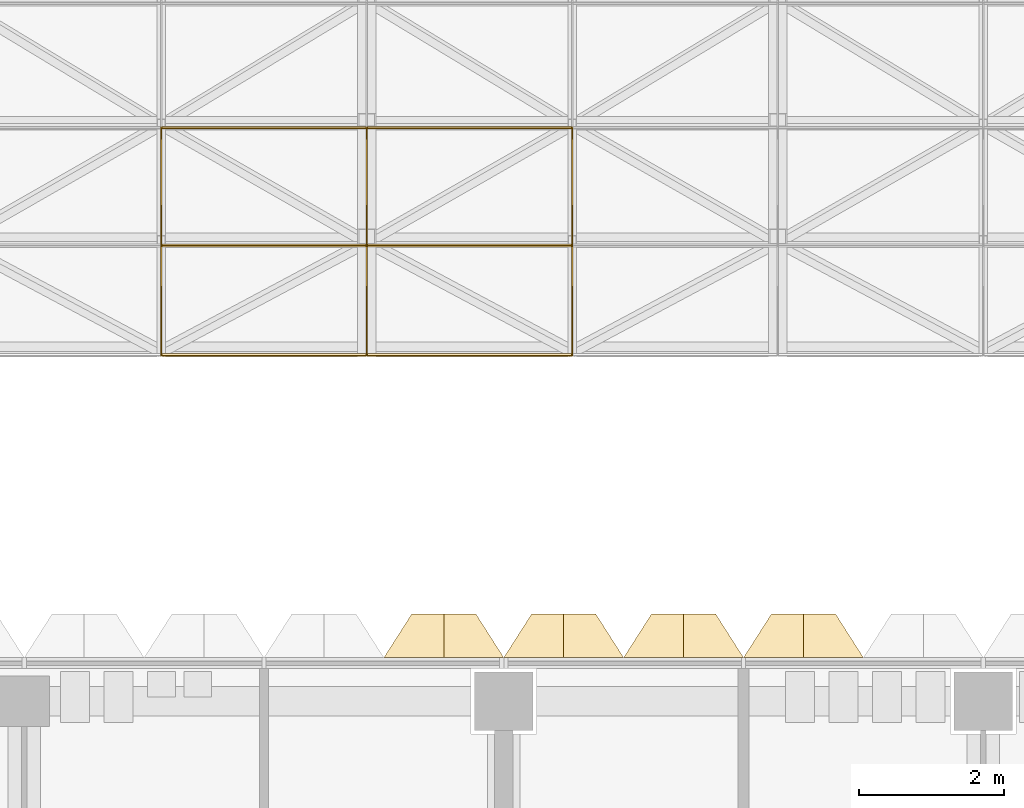
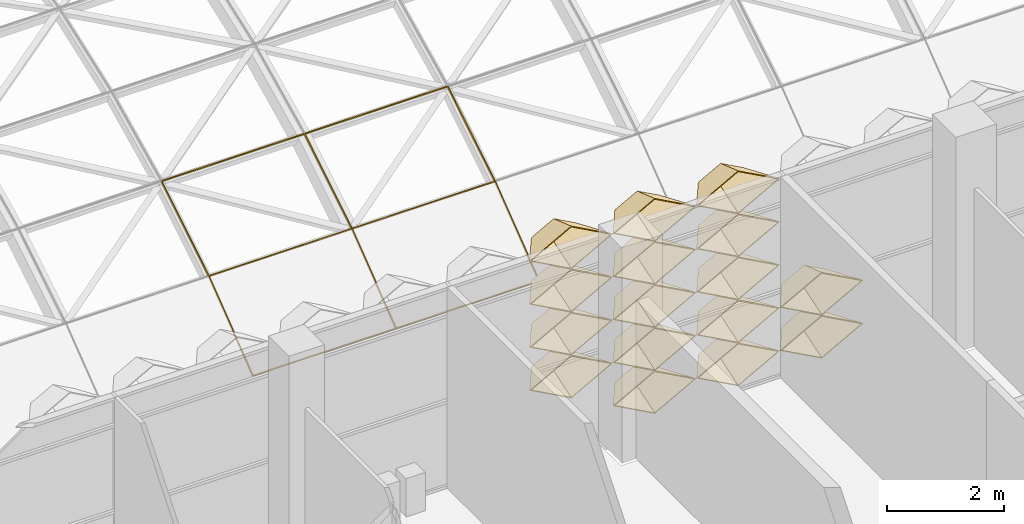
# One storey, part 56 of 85: 28 coverings.
"""IFC4 building model written with IfcOpenShell, lengths in metres."""

from ifc_helpers import new_model, entity, si_unit, direction, frame, origin, origin_2d, place, context, subcontext, project, spatial, rectangle, extrude, material, layer, layer_set, material_profile, profile_set, type_object, element, save


model = new_model("IFC4")

# Units and contexts
model_context = context("Model", 3, precision=1e-05, world=origin(), true_north=direction((0.0, 1.0)))
body_context = subcontext(model_context, "Body", "Model", "MODEL_VIEW")
ifc_project = project(units=[si_unit("LENGTHUNIT", "METRE"), si_unit("AREAUNIT", "SQUARE_METRE"), si_unit("VOLUMEUNIT", "CUBIC_METRE"), si_unit("PLANEANGLEUNIT", "RADIAN"), si_unit("MASSUNIT", "GRAM", prefix="KILO")], contexts=[model_context])

# Site, building, storey
site_placement = place(None, origin())
site = spatial("IfcSite", under=ifc_project, at=site_placement, CompositionType="ELEMENT")
building_placement = place(site_placement, origin())
building = spatial("IfcBuilding", under=site, at=building_placement, Name="Lantern Court Research Institute", CompositionType="ELEMENT")
storey_placement = place(building_placement, frame((0.0, 0.0, 18.89990234375)))
storey = spatial("IfcBuildingStorey", under=building, at=storey_placement, Name="L04", CompositionType="ELEMENT", Elevation=18.89990234375)

# Coverings
ifc_material_1 = material(Name="Anodised aluminium", Category="aluminium")
ifc_layer = layer(ifc_material_1, 0.01611328125)
ifc_layer_set = layer_set([ifc_layer], Name="Anodised aluminium")
covering_type_1 = type_object("IfcCoveringType", Name="Fin cassette 1650 x 900 x 600 aluminium", PredefinedType="CLADDING", material=ifc_layer_set)
covering_1_placement = place(storey_placement, frame((51.97509765625, 23.699951171875, 1.35009765625), z_axis=(0.0, 1.0, 0.0), x_axis=(-1.0, 0.0, 0.0)))
cartesian_point_1 = entity("IfcCartesianPoint", [0.824951171875, 0.0])
cartesian_point_2 = entity("IfcCartesianPoint", [0.79150390625, 0.0])
cartesian_point_3 = entity("IfcCartesianPoint", [0.44189453125, 0.0])
cartesian_point_4 = entity("IfcCartesianPoint", [0.43359375, 0.0])
element("IfcCovering", 1, at=covering_1_placement, inside=storey, type_object=covering_type_1, Name="Fin cassette V4N-L04 2.32", PredefinedType="CLADDING", context=body_context, shape_type="SweptSolid", body=[
    entity("IfcExtrudedAreaSolidTapered", entity("IfcArbitraryProfileDefWithVoids", "AREA", None, entity("IfcPolyline", [cartesian_point_1, entity("IfcCartesianPoint", [0.0, 0.449951171875]), entity("IfcCartesianPoint", [-0.824951171875, 0.0]), entity("IfcCartesianPoint", [0.0, -0.449951171875]), cartesian_point_1]), [entity("IfcPolyline", [cartesian_point_2, entity("IfcCartesianPoint", [0.0, 0.431884765625]), entity("IfcCartesianPoint", [-0.79150390625, 0.0]), entity("IfcCartesianPoint", [0.0, -0.431884765625]), cartesian_point_2])]), entity("IfcAxis2Placement3D", entity("IfcCartesianPoint", [0.0, 0.0, 0.0])), entity("IfcDirection", [0.0, 0.0, 1.0]), 0.60009765625, entity("IfcArbitraryProfileDefWithVoids", "AREA", None, entity("IfcPolyline", [cartesian_point_3, entity("IfcCartesianPoint", [0.0, 0.240966796875]), entity("IfcCartesianPoint", [-0.44189453125, 0.0]), entity("IfcCartesianPoint", [0.0, -0.240966796875]), cartesian_point_3]), [entity("IfcPolyline", [cartesian_point_4, entity("IfcCartesianPoint", [0.0, 0.236572265625]), entity("IfcCartesianPoint", [-0.43359375, 0.0]), entity("IfcCartesianPoint", [0.0, -0.236572265625]), cartesian_point_4])])),
])
covering_2_placement = place(storey_placement, frame((51.97509765625, 23.699951171875, 2.25), z_axis=(0.0, 1.0, 0.0), x_axis=(-1.0, 0.0, 0.0)))
cartesian_point_5 = entity("IfcCartesianPoint", [0.824951171875, 0.0])
cartesian_point_6 = entity("IfcCartesianPoint", [0.79150390625, 0.0])
cartesian_point_7 = entity("IfcCartesianPoint", [0.44189453125, 0.0])
cartesian_point_8 = entity("IfcCartesianPoint", [0.43359375, 0.0])
element("IfcCovering", 2, at=covering_2_placement, inside=storey, type_object=covering_type_1, Name="Fin cassette V4N-L04 3.32", PredefinedType="CLADDING", context=body_context, shape_type="SweptSolid", body=[
    entity("IfcExtrudedAreaSolidTapered", entity("IfcArbitraryProfileDefWithVoids", "AREA", None, entity("IfcPolyline", [cartesian_point_5, entity("IfcCartesianPoint", [0.0, 0.449951171875]), entity("IfcCartesianPoint", [-0.824951171875, 0.0]), entity("IfcCartesianPoint", [0.0, -0.449951171875]), cartesian_point_5]), [entity("IfcPolyline", [cartesian_point_6, entity("IfcCartesianPoint", [0.0, 0.431884765625]), entity("IfcCartesianPoint", [-0.79150390625, 0.0]), entity("IfcCartesianPoint", [0.0, -0.431884765625]), cartesian_point_6])]), entity("IfcAxis2Placement3D", entity("IfcCartesianPoint", [0.0, 0.0, 0.0])), entity("IfcDirection", [0.0, 0.0, 1.0]), 0.60009765625, entity("IfcArbitraryProfileDefWithVoids", "AREA", None, entity("IfcPolyline", [cartesian_point_7, entity("IfcCartesianPoint", [0.0, 0.240966796875]), entity("IfcCartesianPoint", [-0.44189453125, 0.0]), entity("IfcCartesianPoint", [0.0, -0.240966796875]), cartesian_point_7]), [entity("IfcPolyline", [cartesian_point_8, entity("IfcCartesianPoint", [0.0, 0.236572265625]), entity("IfcCartesianPoint", [-0.43359375, 0.0]), entity("IfcCartesianPoint", [0.0, -0.236572265625]), cartesian_point_8])])),
])
covering_3_placement = place(storey_placement, frame((51.97509765625, 23.699951171875, 3.150146484375), z_axis=(0.0, 1.0, 0.0), x_axis=(-1.0, 0.0, 0.0)))
cartesian_point_9 = entity("IfcCartesianPoint", [0.824951171875, 0.0])
cartesian_point_10 = entity("IfcCartesianPoint", [0.79150390625, 0.0])
cartesian_point_11 = entity("IfcCartesianPoint", [0.44189453125, 0.0])
cartesian_point_12 = entity("IfcCartesianPoint", [0.43359375, 0.0])
element("IfcCovering", 3, at=covering_3_placement, inside=storey, type_object=covering_type_1, Name="Fin cassette V4N-L04 4.32", PredefinedType="CLADDING", context=body_context, shape_type="SweptSolid", body=[
    entity("IfcExtrudedAreaSolidTapered", entity("IfcArbitraryProfileDefWithVoids", "AREA", None, entity("IfcPolyline", [cartesian_point_9, entity("IfcCartesianPoint", [0.0, 0.449951171875]), entity("IfcCartesianPoint", [-0.824951171875, 0.0]), entity("IfcCartesianPoint", [0.0, -0.449951171875]), cartesian_point_9]), [entity("IfcPolyline", [cartesian_point_10, entity("IfcCartesianPoint", [0.0, 0.431884765625]), entity("IfcCartesianPoint", [-0.79150390625, 0.0]), entity("IfcCartesianPoint", [0.0, -0.431884765625]), cartesian_point_10])]), entity("IfcAxis2Placement3D", entity("IfcCartesianPoint", [0.0, 0.0, 0.0])), entity("IfcDirection", [0.0, 0.0, 1.0]), 0.60009765625, entity("IfcArbitraryProfileDefWithVoids", "AREA", None, entity("IfcPolyline", [cartesian_point_11, entity("IfcCartesianPoint", [0.0, 0.240966796875]), entity("IfcCartesianPoint", [-0.44189453125, 0.0]), entity("IfcCartesianPoint", [0.0, -0.240966796875]), cartesian_point_11]), [entity("IfcPolyline", [cartesian_point_12, entity("IfcCartesianPoint", [0.0, 0.236572265625]), entity("IfcCartesianPoint", [-0.43359375, 0.0]), entity("IfcCartesianPoint", [0.0, -0.236572265625]), cartesian_point_12])])),
])
covering_4_placement = place(storey_placement, frame((51.97509765625, 23.699951171875, 4.050048828125), z_axis=(0.0, 1.0, 0.0), x_axis=(-1.0, 0.0, 0.0)))
cartesian_point_13 = entity("IfcCartesianPoint", [0.824951171875, 0.0])
cartesian_point_14 = entity("IfcCartesianPoint", [0.79150390625, 0.0])
cartesian_point_15 = entity("IfcCartesianPoint", [0.44189453125, 0.0])
cartesian_point_16 = entity("IfcCartesianPoint", [0.43359375, 0.0])
element("IfcCovering", 4, at=covering_4_placement, inside=storey, type_object=covering_type_1, Name="Fin cassette V4N-L04 5.32", PredefinedType="CLADDING", context=body_context, shape_type="SweptSolid", body=[
    entity("IfcExtrudedAreaSolidTapered", entity("IfcArbitraryProfileDefWithVoids", "AREA", None, entity("IfcPolyline", [cartesian_point_13, entity("IfcCartesianPoint", [0.0, 0.449951171875]), entity("IfcCartesianPoint", [-0.824951171875, 0.0]), entity("IfcCartesianPoint", [0.0, -0.449951171875]), cartesian_point_13]), [entity("IfcPolyline", [cartesian_point_14, entity("IfcCartesianPoint", [0.0, 0.431884765625]), entity("IfcCartesianPoint", [-0.79150390625, 0.0]), entity("IfcCartesianPoint", [0.0, -0.431884765625]), cartesian_point_14])]), entity("IfcAxis2Placement3D", entity("IfcCartesianPoint", [0.0, 0.0, 0.0])), entity("IfcDirection", [0.0, 0.0, 1.0]), 0.60009765625, entity("IfcArbitraryProfileDefWithVoids", "AREA", None, entity("IfcPolyline", [cartesian_point_15, entity("IfcCartesianPoint", [0.0, 0.240966796875]), entity("IfcCartesianPoint", [-0.44189453125, 0.0]), entity("IfcCartesianPoint", [0.0, -0.240966796875]), cartesian_point_15]), [entity("IfcPolyline", [cartesian_point_16, entity("IfcCartesianPoint", [0.0, 0.236572265625]), entity("IfcCartesianPoint", [-0.43359375, 0.0]), entity("IfcCartesianPoint", [0.0, -0.236572265625]), cartesian_point_16])])),
])
covering_5_placement = place(storey_placement, frame((53.625, 23.699951171875, 0.4501953125), z_axis=(0.0, 1.0, 0.0), x_axis=(-1.0, 0.0, 0.0)))
cartesian_point_17 = entity("IfcCartesianPoint", [0.824951171875, 0.0])
cartesian_point_18 = entity("IfcCartesianPoint", [0.79150390625, 0.0])
cartesian_point_19 = entity("IfcCartesianPoint", [0.44189453125, 0.0])
cartesian_point_20 = entity("IfcCartesianPoint", [0.43359375, 0.0])
element("IfcCovering", 5, at=covering_5_placement, inside=storey, type_object=covering_type_1, Name="Fin cassette V5N-L04 1.33", PredefinedType="CLADDING", context=body_context, shape_type="SweptSolid", body=[
    entity("IfcExtrudedAreaSolidTapered", entity("IfcArbitraryProfileDefWithVoids", "AREA", None, entity("IfcPolyline", [cartesian_point_17, entity("IfcCartesianPoint", [0.0, 0.449951171875]), entity("IfcCartesianPoint", [-0.824951171875, 0.0]), entity("IfcCartesianPoint", [0.0, -0.449951171875]), cartesian_point_17]), [entity("IfcPolyline", [cartesian_point_18, entity("IfcCartesianPoint", [0.0, 0.431884765625]), entity("IfcCartesianPoint", [-0.79150390625, 0.0]), entity("IfcCartesianPoint", [0.0, -0.431884765625]), cartesian_point_18])]), entity("IfcAxis2Placement3D", entity("IfcCartesianPoint", [0.0, 0.0, 0.0])), entity("IfcDirection", [0.0, 0.0, 1.0]), 0.60009765625, entity("IfcArbitraryProfileDefWithVoids", "AREA", None, entity("IfcPolyline", [cartesian_point_19, entity("IfcCartesianPoint", [0.0, 0.240966796875]), entity("IfcCartesianPoint", [-0.44189453125, 0.0]), entity("IfcCartesianPoint", [0.0, -0.240966796875]), cartesian_point_19]), [entity("IfcPolyline", [cartesian_point_20, entity("IfcCartesianPoint", [0.0, 0.236572265625]), entity("IfcCartesianPoint", [-0.43359375, 0.0]), entity("IfcCartesianPoint", [0.0, -0.236572265625]), cartesian_point_20])])),
])
covering_6_placement = place(storey_placement, frame((55.27490234375, 23.699951171875, 0.4501953125), z_axis=(0.0, 1.0, 0.0), x_axis=(-1.0, 0.0, 0.0)))
cartesian_point_21 = entity("IfcCartesianPoint", [0.824951171875, 0.0])
cartesian_point_22 = entity("IfcCartesianPoint", [0.79150390625, 0.0])
cartesian_point_23 = entity("IfcCartesianPoint", [0.44189453125, 0.0])
cartesian_point_24 = entity("IfcCartesianPoint", [0.43359375, 0.0])
element("IfcCovering", 6, at=covering_6_placement, inside=storey, type_object=covering_type_1, Name="Fin cassette V5N-L04 1.34", PredefinedType="CLADDING", context=body_context, shape_type="SweptSolid", body=[
    entity("IfcExtrudedAreaSolidTapered", entity("IfcArbitraryProfileDefWithVoids", "AREA", None, entity("IfcPolyline", [cartesian_point_21, entity("IfcCartesianPoint", [0.0, 0.449951171875]), entity("IfcCartesianPoint", [-0.824951171875, 0.0]), entity("IfcCartesianPoint", [0.0, -0.449951171875]), cartesian_point_21]), [entity("IfcPolyline", [cartesian_point_22, entity("IfcCartesianPoint", [0.0, 0.431884765625]), entity("IfcCartesianPoint", [-0.79150390625, 0.0]), entity("IfcCartesianPoint", [0.0, -0.431884765625]), cartesian_point_22])]), entity("IfcAxis2Placement3D", entity("IfcCartesianPoint", [0.0, 0.0, 0.0])), entity("IfcDirection", [0.0, 0.0, 1.0]), 0.60009765625, entity("IfcArbitraryProfileDefWithVoids", "AREA", None, entity("IfcPolyline", [cartesian_point_23, entity("IfcCartesianPoint", [0.0, 0.240966796875]), entity("IfcCartesianPoint", [-0.44189453125, 0.0]), entity("IfcCartesianPoint", [0.0, -0.240966796875]), cartesian_point_23]), [entity("IfcPolyline", [cartesian_point_24, entity("IfcCartesianPoint", [0.0, 0.236572265625]), entity("IfcCartesianPoint", [-0.43359375, 0.0]), entity("IfcCartesianPoint", [0.0, -0.236572265625]), cartesian_point_24])])),
])
covering_7_placement = place(storey_placement, frame((56.925048828125, 23.699951171875, 0.4501953125), z_axis=(0.0, 1.0, 0.0), x_axis=(-1.0, 0.0, 0.0)))
cartesian_point_25 = entity("IfcCartesianPoint", [0.824951171875, 0.0])
cartesian_point_26 = entity("IfcCartesianPoint", [0.79150390625, 0.0])
cartesian_point_27 = entity("IfcCartesianPoint", [0.44189453125, 0.0])
cartesian_point_28 = entity("IfcCartesianPoint", [0.43359375, 0.0])
element("IfcCovering", 7, at=covering_7_placement, inside=storey, type_object=covering_type_1, Name="Fin cassette V5N-L04 1.35", PredefinedType="CLADDING", context=body_context, shape_type="SweptSolid", body=[
    entity("IfcExtrudedAreaSolidTapered", entity("IfcArbitraryProfileDefWithVoids", "AREA", None, entity("IfcPolyline", [cartesian_point_25, entity("IfcCartesianPoint", [0.0, 0.449951171875]), entity("IfcCartesianPoint", [-0.824951171875, 0.0]), entity("IfcCartesianPoint", [0.0, -0.449951171875]), cartesian_point_25]), [entity("IfcPolyline", [cartesian_point_26, entity("IfcCartesianPoint", [0.0, 0.431884765625]), entity("IfcCartesianPoint", [-0.79150390625, 0.0]), entity("IfcCartesianPoint", [0.0, -0.431884765625]), cartesian_point_26])]), entity("IfcAxis2Placement3D", entity("IfcCartesianPoint", [0.0, 0.0, 0.0])), entity("IfcDirection", [0.0, 0.0, 1.0]), 0.60009765625, entity("IfcArbitraryProfileDefWithVoids", "AREA", None, entity("IfcPolyline", [cartesian_point_27, entity("IfcCartesianPoint", [0.0, 0.240966796875]), entity("IfcCartesianPoint", [-0.44189453125, 0.0]), entity("IfcCartesianPoint", [0.0, -0.240966796875]), cartesian_point_27]), [entity("IfcPolyline", [cartesian_point_28, entity("IfcCartesianPoint", [0.0, 0.236572265625]), entity("IfcCartesianPoint", [-0.43359375, 0.0]), entity("IfcCartesianPoint", [0.0, -0.236572265625]), cartesian_point_28])])),
])
covering_8_placement = place(storey_placement, frame((53.625, 23.699951171875, 1.35009765625), z_axis=(0.0, 1.0, 0.0), x_axis=(-1.0, 0.0, 0.0)))
cartesian_point_29 = entity("IfcCartesianPoint", [0.824951171875, 0.0])
cartesian_point_30 = entity("IfcCartesianPoint", [0.79150390625, 0.0])
cartesian_point_31 = entity("IfcCartesianPoint", [0.44189453125, 0.0])
cartesian_point_32 = entity("IfcCartesianPoint", [0.43359375, 0.0])
element("IfcCovering", 8, at=covering_8_placement, inside=storey, type_object=covering_type_1, Name="Fin cassette V5N-L04 2.33", PredefinedType="CLADDING", context=body_context, shape_type="SweptSolid", body=[
    entity("IfcExtrudedAreaSolidTapered", entity("IfcArbitraryProfileDefWithVoids", "AREA", None, entity("IfcPolyline", [cartesian_point_29, entity("IfcCartesianPoint", [0.0, 0.449951171875]), entity("IfcCartesianPoint", [-0.824951171875, 0.0]), entity("IfcCartesianPoint", [0.0, -0.449951171875]), cartesian_point_29]), [entity("IfcPolyline", [cartesian_point_30, entity("IfcCartesianPoint", [0.0, 0.431884765625]), entity("IfcCartesianPoint", [-0.79150390625, 0.0]), entity("IfcCartesianPoint", [0.0, -0.431884765625]), cartesian_point_30])]), entity("IfcAxis2Placement3D", entity("IfcCartesianPoint", [0.0, 0.0, 0.0])), entity("IfcDirection", [0.0, 0.0, 1.0]), 0.60009765625, entity("IfcArbitraryProfileDefWithVoids", "AREA", None, entity("IfcPolyline", [cartesian_point_31, entity("IfcCartesianPoint", [0.0, 0.240966796875]), entity("IfcCartesianPoint", [-0.44189453125, 0.0]), entity("IfcCartesianPoint", [0.0, -0.240966796875]), cartesian_point_31]), [entity("IfcPolyline", [cartesian_point_32, entity("IfcCartesianPoint", [0.0, 0.236572265625]), entity("IfcCartesianPoint", [-0.43359375, 0.0]), entity("IfcCartesianPoint", [0.0, -0.236572265625]), cartesian_point_32])])),
])
covering_9_placement = place(storey_placement, frame((55.27490234375, 23.699951171875, 1.35009765625), z_axis=(0.0, 1.0, 0.0), x_axis=(-1.0, 0.0, 0.0)))
cartesian_point_33 = entity("IfcCartesianPoint", [0.824951171875, 0.0])
cartesian_point_34 = entity("IfcCartesianPoint", [0.79150390625, 0.0])
cartesian_point_35 = entity("IfcCartesianPoint", [0.44189453125, 0.0])
cartesian_point_36 = entity("IfcCartesianPoint", [0.43359375, 0.0])
element("IfcCovering", 9, at=covering_9_placement, inside=storey, type_object=covering_type_1, Name="Fin cassette V5N-L04 2.34", PredefinedType="CLADDING", context=body_context, shape_type="SweptSolid", body=[
    entity("IfcExtrudedAreaSolidTapered", entity("IfcArbitraryProfileDefWithVoids", "AREA", None, entity("IfcPolyline", [cartesian_point_33, entity("IfcCartesianPoint", [0.0, 0.449951171875]), entity("IfcCartesianPoint", [-0.824951171875, 0.0]), entity("IfcCartesianPoint", [0.0, -0.449951171875]), cartesian_point_33]), [entity("IfcPolyline", [cartesian_point_34, entity("IfcCartesianPoint", [0.0, 0.431884765625]), entity("IfcCartesianPoint", [-0.79150390625, 0.0]), entity("IfcCartesianPoint", [0.0, -0.431884765625]), cartesian_point_34])]), entity("IfcAxis2Placement3D", entity("IfcCartesianPoint", [0.0, 0.0, 0.0])), entity("IfcDirection", [0.0, 0.0, 1.0]), 0.60009765625, entity("IfcArbitraryProfileDefWithVoids", "AREA", None, entity("IfcPolyline", [cartesian_point_35, entity("IfcCartesianPoint", [0.0, 0.240966796875]), entity("IfcCartesianPoint", [-0.44189453125, 0.0]), entity("IfcCartesianPoint", [0.0, -0.240966796875]), cartesian_point_35]), [entity("IfcPolyline", [cartesian_point_36, entity("IfcCartesianPoint", [0.0, 0.236572265625]), entity("IfcCartesianPoint", [-0.43359375, 0.0]), entity("IfcCartesianPoint", [0.0, -0.236572265625]), cartesian_point_36])])),
])
covering_10_placement = place(storey_placement, frame((56.925048828125, 23.699951171875, 1.35009765625), z_axis=(0.0, 1.0, 0.0), x_axis=(-1.0, 0.0, 0.0)))
cartesian_point_37 = entity("IfcCartesianPoint", [0.824951171875, 0.0])
cartesian_point_38 = entity("IfcCartesianPoint", [0.79150390625, 0.0])
cartesian_point_39 = entity("IfcCartesianPoint", [0.44189453125, 0.0])
cartesian_point_40 = entity("IfcCartesianPoint", [0.43359375, 0.0])
element("IfcCovering", 10, at=covering_10_placement, inside=storey, type_object=covering_type_1, Name="Fin cassette V5N-L04 2.35", PredefinedType="CLADDING", context=body_context, shape_type="SweptSolid", body=[
    entity("IfcExtrudedAreaSolidTapered", entity("IfcArbitraryProfileDefWithVoids", "AREA", None, entity("IfcPolyline", [cartesian_point_37, entity("IfcCartesianPoint", [0.0, 0.449951171875]), entity("IfcCartesianPoint", [-0.824951171875, 0.0]), entity("IfcCartesianPoint", [0.0, -0.449951171875]), cartesian_point_37]), [entity("IfcPolyline", [cartesian_point_38, entity("IfcCartesianPoint", [0.0, 0.431884765625]), entity("IfcCartesianPoint", [-0.79150390625, 0.0]), entity("IfcCartesianPoint", [0.0, -0.431884765625]), cartesian_point_38])]), entity("IfcAxis2Placement3D", entity("IfcCartesianPoint", [0.0, 0.0, 0.0])), entity("IfcDirection", [0.0, 0.0, 1.0]), 0.60009765625, entity("IfcArbitraryProfileDefWithVoids", "AREA", None, entity("IfcPolyline", [cartesian_point_39, entity("IfcCartesianPoint", [0.0, 0.240966796875]), entity("IfcCartesianPoint", [-0.44189453125, 0.0]), entity("IfcCartesianPoint", [0.0, -0.240966796875]), cartesian_point_39]), [entity("IfcPolyline", [cartesian_point_40, entity("IfcCartesianPoint", [0.0, 0.236572265625]), entity("IfcCartesianPoint", [-0.43359375, 0.0]), entity("IfcCartesianPoint", [0.0, -0.236572265625]), cartesian_point_40])])),
])
covering_11_placement = place(storey_placement, frame((53.625, 23.699951171875, 2.25), z_axis=(0.0, 1.0, 0.0), x_axis=(-1.0, 0.0, 0.0)))
cartesian_point_41 = entity("IfcCartesianPoint", [0.824951171875, 0.0])
cartesian_point_42 = entity("IfcCartesianPoint", [0.79150390625, 0.0])
cartesian_point_43 = entity("IfcCartesianPoint", [0.44189453125, 0.0])
cartesian_point_44 = entity("IfcCartesianPoint", [0.43359375, 0.0])
element("IfcCovering", 11, at=covering_11_placement, inside=storey, type_object=covering_type_1, Name="Fin cassette V5N-L04 3.33", PredefinedType="CLADDING", context=body_context, shape_type="SweptSolid", body=[
    entity("IfcExtrudedAreaSolidTapered", entity("IfcArbitraryProfileDefWithVoids", "AREA", None, entity("IfcPolyline", [cartesian_point_41, entity("IfcCartesianPoint", [0.0, 0.449951171875]), entity("IfcCartesianPoint", [-0.824951171875, 0.0]), entity("IfcCartesianPoint", [0.0, -0.449951171875]), cartesian_point_41]), [entity("IfcPolyline", [cartesian_point_42, entity("IfcCartesianPoint", [0.0, 0.431884765625]), entity("IfcCartesianPoint", [-0.79150390625, 0.0]), entity("IfcCartesianPoint", [0.0, -0.431884765625]), cartesian_point_42])]), entity("IfcAxis2Placement3D", entity("IfcCartesianPoint", [0.0, 0.0, 0.0])), entity("IfcDirection", [0.0, 0.0, 1.0]), 0.60009765625, entity("IfcArbitraryProfileDefWithVoids", "AREA", None, entity("IfcPolyline", [cartesian_point_43, entity("IfcCartesianPoint", [0.0, 0.240966796875]), entity("IfcCartesianPoint", [-0.44189453125, 0.0]), entity("IfcCartesianPoint", [0.0, -0.240966796875]), cartesian_point_43]), [entity("IfcPolyline", [cartesian_point_44, entity("IfcCartesianPoint", [0.0, 0.236572265625]), entity("IfcCartesianPoint", [-0.43359375, 0.0]), entity("IfcCartesianPoint", [0.0, -0.236572265625]), cartesian_point_44])])),
])
covering_12_placement = place(storey_placement, frame((55.27490234375, 23.699951171875, 2.25), z_axis=(0.0, 1.0, 0.0), x_axis=(-1.0, 0.0, 0.0)))
cartesian_point_45 = entity("IfcCartesianPoint", [0.824951171875, 0.0])
cartesian_point_46 = entity("IfcCartesianPoint", [0.79150390625, 0.0])
cartesian_point_47 = entity("IfcCartesianPoint", [0.44189453125, 0.0])
cartesian_point_48 = entity("IfcCartesianPoint", [0.43359375, 0.0])
element("IfcCovering", 12, at=covering_12_placement, inside=storey, type_object=covering_type_1, Name="Fin cassette V5N-L04 3.34", PredefinedType="CLADDING", context=body_context, shape_type="SweptSolid", body=[
    entity("IfcExtrudedAreaSolidTapered", entity("IfcArbitraryProfileDefWithVoids", "AREA", None, entity("IfcPolyline", [cartesian_point_45, entity("IfcCartesianPoint", [0.0, 0.449951171875]), entity("IfcCartesianPoint", [-0.824951171875, 0.0]), entity("IfcCartesianPoint", [0.0, -0.449951171875]), cartesian_point_45]), [entity("IfcPolyline", [cartesian_point_46, entity("IfcCartesianPoint", [0.0, 0.431884765625]), entity("IfcCartesianPoint", [-0.79150390625, 0.0]), entity("IfcCartesianPoint", [0.0, -0.431884765625]), cartesian_point_46])]), entity("IfcAxis2Placement3D", entity("IfcCartesianPoint", [0.0, 0.0, 0.0])), entity("IfcDirection", [0.0, 0.0, 1.0]), 0.60009765625, entity("IfcArbitraryProfileDefWithVoids", "AREA", None, entity("IfcPolyline", [cartesian_point_47, entity("IfcCartesianPoint", [0.0, 0.240966796875]), entity("IfcCartesianPoint", [-0.44189453125, 0.0]), entity("IfcCartesianPoint", [0.0, -0.240966796875]), cartesian_point_47]), [entity("IfcPolyline", [cartesian_point_48, entity("IfcCartesianPoint", [0.0, 0.236572265625]), entity("IfcCartesianPoint", [-0.43359375, 0.0]), entity("IfcCartesianPoint", [0.0, -0.236572265625]), cartesian_point_48])])),
])
covering_13_placement = place(storey_placement, frame((53.625, 23.699951171875, 3.150146484375), z_axis=(0.0, 1.0, 0.0), x_axis=(-1.0, 0.0, 0.0)))
cartesian_point_49 = entity("IfcCartesianPoint", [0.824951171875, 0.0])
cartesian_point_50 = entity("IfcCartesianPoint", [0.79150390625, 0.0])
cartesian_point_51 = entity("IfcCartesianPoint", [0.44189453125, 0.0])
cartesian_point_52 = entity("IfcCartesianPoint", [0.43359375, 0.0])
element("IfcCovering", 13, at=covering_13_placement, inside=storey, type_object=covering_type_1, Name="Fin cassette V5N-L04 4.33", PredefinedType="CLADDING", context=body_context, shape_type="SweptSolid", body=[
    entity("IfcExtrudedAreaSolidTapered", entity("IfcArbitraryProfileDefWithVoids", "AREA", None, entity("IfcPolyline", [cartesian_point_49, entity("IfcCartesianPoint", [0.0, 0.449951171875]), entity("IfcCartesianPoint", [-0.824951171875, 0.0]), entity("IfcCartesianPoint", [0.0, -0.449951171875]), cartesian_point_49]), [entity("IfcPolyline", [cartesian_point_50, entity("IfcCartesianPoint", [0.0, 0.431884765625]), entity("IfcCartesianPoint", [-0.79150390625, 0.0]), entity("IfcCartesianPoint", [0.0, -0.431884765625]), cartesian_point_50])]), entity("IfcAxis2Placement3D", entity("IfcCartesianPoint", [0.0, 0.0, 0.0])), entity("IfcDirection", [0.0, 0.0, 1.0]), 0.60009765625, entity("IfcArbitraryProfileDefWithVoids", "AREA", None, entity("IfcPolyline", [cartesian_point_51, entity("IfcCartesianPoint", [0.0, 0.240966796875]), entity("IfcCartesianPoint", [-0.44189453125, 0.0]), entity("IfcCartesianPoint", [0.0, -0.240966796875]), cartesian_point_51]), [entity("IfcPolyline", [cartesian_point_52, entity("IfcCartesianPoint", [0.0, 0.236572265625]), entity("IfcCartesianPoint", [-0.43359375, 0.0]), entity("IfcCartesianPoint", [0.0, -0.236572265625]), cartesian_point_52])])),
])
covering_14_placement = place(storey_placement, frame((55.27490234375, 23.699951171875, 3.150146484375), z_axis=(0.0, 1.0, 0.0), x_axis=(-1.0, 0.0, 0.0)))
cartesian_point_53 = entity("IfcCartesianPoint", [0.824951171875, 0.0])
cartesian_point_54 = entity("IfcCartesianPoint", [0.79150390625, 0.0])
cartesian_point_55 = entity("IfcCartesianPoint", [0.44189453125, 0.0])
cartesian_point_56 = entity("IfcCartesianPoint", [0.43359375, 0.0])
element("IfcCovering", 14, at=covering_14_placement, inside=storey, type_object=covering_type_1, Name="Fin cassette V5N-L04 4.34", PredefinedType="CLADDING", context=body_context, shape_type="SweptSolid", body=[
    entity("IfcExtrudedAreaSolidTapered", entity("IfcArbitraryProfileDefWithVoids", "AREA", None, entity("IfcPolyline", [cartesian_point_53, entity("IfcCartesianPoint", [0.0, 0.449951171875]), entity("IfcCartesianPoint", [-0.824951171875, 0.0]), entity("IfcCartesianPoint", [0.0, -0.449951171875]), cartesian_point_53]), [entity("IfcPolyline", [cartesian_point_54, entity("IfcCartesianPoint", [0.0, 0.431884765625]), entity("IfcCartesianPoint", [-0.79150390625, 0.0]), entity("IfcCartesianPoint", [0.0, -0.431884765625]), cartesian_point_54])]), entity("IfcAxis2Placement3D", entity("IfcCartesianPoint", [0.0, 0.0, 0.0])), entity("IfcDirection", [0.0, 0.0, 1.0]), 0.60009765625, entity("IfcArbitraryProfileDefWithVoids", "AREA", None, entity("IfcPolyline", [cartesian_point_55, entity("IfcCartesianPoint", [0.0, 0.240966796875]), entity("IfcCartesianPoint", [-0.44189453125, 0.0]), entity("IfcCartesianPoint", [0.0, -0.240966796875]), cartesian_point_55]), [entity("IfcPolyline", [cartesian_point_56, entity("IfcCartesianPoint", [0.0, 0.236572265625]), entity("IfcCartesianPoint", [-0.43359375, 0.0]), entity("IfcCartesianPoint", [0.0, -0.236572265625]), cartesian_point_56])])),
])
covering_15_placement = place(storey_placement, frame((53.625, 23.699951171875, 4.050048828125), z_axis=(0.0, 1.0, 0.0), x_axis=(-1.0, 0.0, 0.0)))
cartesian_point_57 = entity("IfcCartesianPoint", [0.824951171875, 0.0])
cartesian_point_58 = entity("IfcCartesianPoint", [0.79150390625, 0.0])
cartesian_point_59 = entity("IfcCartesianPoint", [0.44189453125, 0.0])
cartesian_point_60 = entity("IfcCartesianPoint", [0.43359375, 0.0])
element("IfcCovering", 15, at=covering_15_placement, inside=storey, type_object=covering_type_1, Name="Fin cassette V5N-L04 5.33", PredefinedType="CLADDING", context=body_context, shape_type="SweptSolid", body=[
    entity("IfcExtrudedAreaSolidTapered", entity("IfcArbitraryProfileDefWithVoids", "AREA", None, entity("IfcPolyline", [cartesian_point_57, entity("IfcCartesianPoint", [0.0, 0.449951171875]), entity("IfcCartesianPoint", [-0.824951171875, 0.0]), entity("IfcCartesianPoint", [0.0, -0.449951171875]), cartesian_point_57]), [entity("IfcPolyline", [cartesian_point_58, entity("IfcCartesianPoint", [0.0, 0.431884765625]), entity("IfcCartesianPoint", [-0.79150390625, 0.0]), entity("IfcCartesianPoint", [0.0, -0.431884765625]), cartesian_point_58])]), entity("IfcAxis2Placement3D", entity("IfcCartesianPoint", [0.0, 0.0, 0.0])), entity("IfcDirection", [0.0, 0.0, 1.0]), 0.60009765625, entity("IfcArbitraryProfileDefWithVoids", "AREA", None, entity("IfcPolyline", [cartesian_point_59, entity("IfcCartesianPoint", [0.0, 0.240966796875]), entity("IfcCartesianPoint", [-0.44189453125, 0.0]), entity("IfcCartesianPoint", [0.0, -0.240966796875]), cartesian_point_59]), [entity("IfcPolyline", [cartesian_point_60, entity("IfcCartesianPoint", [0.0, 0.236572265625]), entity("IfcCartesianPoint", [-0.43359375, 0.0]), entity("IfcCartesianPoint", [0.0, -0.236572265625]), cartesian_point_60])])),
])
covering_16_placement = place(storey_placement, frame((55.27490234375, 23.699951171875, 4.050048828125), z_axis=(0.0, 1.0, 0.0), x_axis=(-1.0, 0.0, 0.0)))
cartesian_point_61 = entity("IfcCartesianPoint", [0.824951171875, 0.0])
cartesian_point_62 = entity("IfcCartesianPoint", [0.79150390625, 0.0])
cartesian_point_63 = entity("IfcCartesianPoint", [0.44189453125, 0.0])
cartesian_point_64 = entity("IfcCartesianPoint", [0.43359375, 0.0])
element("IfcCovering", 16, at=covering_16_placement, inside=storey, type_object=covering_type_1, Name="Fin cassette V5N-L04 5.34", PredefinedType="CLADDING", context=body_context, shape_type="SweptSolid", body=[
    entity("IfcExtrudedAreaSolidTapered", entity("IfcArbitraryProfileDefWithVoids", "AREA", None, entity("IfcPolyline", [cartesian_point_61, entity("IfcCartesianPoint", [0.0, 0.449951171875]), entity("IfcCartesianPoint", [-0.824951171875, 0.0]), entity("IfcCartesianPoint", [0.0, -0.449951171875]), cartesian_point_61]), [entity("IfcPolyline", [cartesian_point_62, entity("IfcCartesianPoint", [0.0, 0.431884765625]), entity("IfcCartesianPoint", [-0.79150390625, 0.0]), entity("IfcCartesianPoint", [0.0, -0.431884765625]), cartesian_point_62])]), entity("IfcAxis2Placement3D", entity("IfcCartesianPoint", [0.0, 0.0, 0.0])), entity("IfcDirection", [0.0, 0.0, 1.0]), 0.60009765625, entity("IfcArbitraryProfileDefWithVoids", "AREA", None, entity("IfcPolyline", [cartesian_point_63, entity("IfcCartesianPoint", [0.0, 0.240966796875]), entity("IfcCartesianPoint", [-0.44189453125, 0.0]), entity("IfcCartesianPoint", [0.0, -0.240966796875]), cartesian_point_63]), [entity("IfcPolyline", [cartesian_point_64, entity("IfcCartesianPoint", [0.0, 0.236572265625]), entity("IfcCartesianPoint", [-0.43359375, 0.0]), entity("IfcCartesianPoint", [0.0, -0.236572265625]), cartesian_point_64])])),
])
ifc_material_2 = material(Name="Aluminium alloy 6063-T6", Category="aluminium")
ifc_material_profile = material_profile(ifc_material_2, rectangle(XDim=0.01806640625, YDim=0.0439453125, at=origin_2d()), Name="Joint cover bar 18 x 44")
ifc_profile_set = profile_set([ifc_material_profile], Name="Aluminium alloy 6063-T6")
covering_type_2 = type_object("IfcCoveringType", Name="Joint cover bar 18 x 44", PredefinedType="MOLDING", material=ifc_profile_set)
covering_17_placement = place(storey_placement, frame((48.085693359375, 27.864990234375, 0.213134765625), z_axis=(0.0, 0.793329505358, 0.608792490039), x_axis=(-1.0, 0.0, 0.0)))
element("IfcCovering", 17, at=covering_17_placement, inside=storey, type_object=covering_type_2, Name="Joint cover bar", PredefinedType="MOLDING", context=body_context, shape_type="SweptSolid", body=[
    extrude(rectangle(XDim=0.01806640625, YDim=0.0439453125, at=origin_2d()), origin(), (0.0, 0.0, 1.0), 1.90234375),
])
covering_18_placement = place(storey_placement, frame((48.095703125, 27.8642578125, 0.21240234375), z_axis=(1.0, 0.0, 0.0), x_axis=(0.0, 0.761672913152, 0.647961706717)))
element("IfcCovering", 18, at=covering_18_placement, inside=storey, type_object=covering_type_2, Name="Joint cover bar", PredefinedType="MOLDING", context=body_context, shape_type="SweptSolid", body=[
    extrude(rectangle(XDim=0.01806640625, YDim=0.0439453125, at=origin_2d()), origin(), (0.0, 0.0, 1.0), 2.80859375),
])
covering_19_placement = place(storey_placement, frame((48.085693359375, 29.376220703125, 1.37255859375), z_axis=(0.0, 0.850462004525, 0.526036480541), x_axis=(-1.0, 0.0, 0.0)))
element("IfcCovering", 19, at=covering_19_placement, inside=storey, type_object=covering_type_2, Name="Joint cover bar", PredefinedType="MOLDING", context=body_context, shape_type="SweptSolid", body=[
    extrude(rectangle(XDim=0.01806640625, YDim=0.0439453125, at=origin_2d()), origin(), (0.0, 0.0, 1.0), 1.90234375),
])
for number, where, z_axis, x_axis, name in (
    (20, (48.095703125, 29.375244140625, 1.3720703125), (1.0, 0.0, 0.0), (0.0, 0.822954255966, 0.568107641726), "Joint cover bar"),
    (21, (48.095703125, 30.9951171875, 2.373779296875), (1.0, 0.0, 0.0), (0.0, 0.875897373228, 0.482497452399), "Joint cover bar"),
):
    element("IfcCovering", number, at=place(storey_placement, frame(where, z_axis=z_axis, x_axis=x_axis)), inside=storey, type_object=covering_type_2, Name=name, PredefinedType="MOLDING", context=body_context, shape_type="SweptSolid", body=[
        extrude(rectangle(XDim=0.01806640625, YDim=0.0439453125, at=origin_2d()), origin(), (0.0, 0.0, 1.0), 2.80859375),
    ])
covering_20_placement = place(storey_placement, frame((50.914306640625, 27.864990234375, 0.213134765625), z_axis=(0.0, 0.793329505358, 0.608792490039), x_axis=(-1.0, 0.0, 0.0)))
element("IfcCovering", 22, at=covering_20_placement, inside=storey, type_object=covering_type_2, Name="Joint cover bar", PredefinedType="MOLDING", context=body_context, shape_type="SweptSolid", body=[
    extrude(rectangle(XDim=0.01806640625, YDim=0.0439453125, at=origin_2d()), origin(), (0.0, 0.0, 1.0), 1.90234375),
])
covering_21_placement = place(storey_placement, frame((50.92431640625, 27.8642578125, 0.21240234375), z_axis=(1.0, 0.0, 0.0), x_axis=(0.0, 0.761672913152, 0.647961706717)))
element("IfcCovering", 23, at=covering_21_placement, inside=storey, type_object=covering_type_2, Name="Joint cover bar", PredefinedType="MOLDING", context=body_context, shape_type="SweptSolid", body=[
    extrude(rectangle(XDim=0.01806640625, YDim=0.0439453125, at=origin_2d()), origin(), (0.0, 0.0, 1.0), 2.80859375),
])
covering_22_placement = place(storey_placement, frame((50.914306640625, 29.376220703125, 1.37255859375), z_axis=(0.0, 0.850462004525, 0.526036480541), x_axis=(-1.0, 0.0, 0.0)))
element("IfcCovering", 24, at=covering_22_placement, inside=storey, type_object=covering_type_2, Name="Joint cover bar", PredefinedType="MOLDING", context=body_context, shape_type="SweptSolid", body=[
    extrude(rectangle(XDim=0.01806640625, YDim=0.0439453125, at=origin_2d()), origin(), (0.0, 0.0, 1.0), 1.90234375),
])
for number, where, z_axis, x_axis, name in (
    (25, (50.92431640625, 29.375244140625, 1.3720703125), (1.0, 0.0, 0.0), (0.0, 0.822954255966, 0.568107641726), "Joint cover bar"),
    (26, (50.92431640625, 30.9951171875, 2.373779296875), (1.0, 0.0, 0.0), (0.0, 0.875897373228, 0.482497452399), "Joint cover bar"),
):
    element("IfcCovering", number, at=place(storey_placement, frame(where, z_axis=z_axis, x_axis=x_axis)), inside=storey, type_object=covering_type_2, Name=name, PredefinedType="MOLDING", context=body_context, shape_type="SweptSolid", body=[
        extrude(rectangle(XDim=0.01806640625, YDim=0.0439453125, at=origin_2d()), origin(), (0.0, 0.0, 1.0), 2.80859375),
    ])
for number, where, z_axis, x_axis, name in (
    (27, (53.742919921875, 27.864990234375, 0.213134765625), (0.0, 0.793329505358, 0.608792490039), (-1.0, 0.0, 0.0), "Joint cover bar"),
    (28, (53.742919921875, 29.376220703125, 1.37255859375), (0.0, 0.850462004525, 0.526036480541), (-1.0, 0.0, 0.0), "Joint cover bar"),
):
    element("IfcCovering", number, at=place(storey_placement, frame(where, z_axis=z_axis, x_axis=x_axis)), inside=storey, type_object=covering_type_2, Name=name, PredefinedType="MOLDING", context=body_context, shape_type="SweptSolid", body=[
        extrude(rectangle(XDim=0.01806640625, YDim=0.0439453125, at=origin_2d()), origin(), (0.0, 0.0, 1.0), 1.90234375),
    ])

save(model, "model.ifc")
